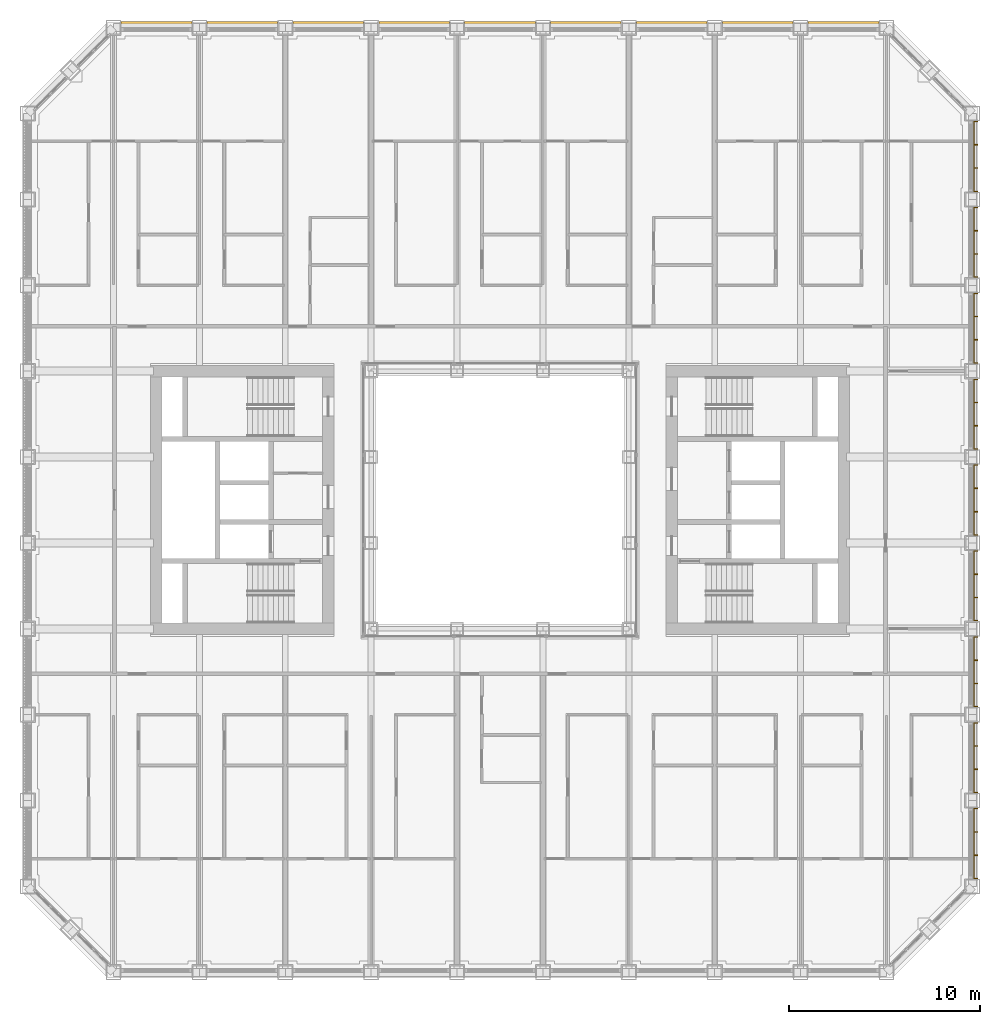
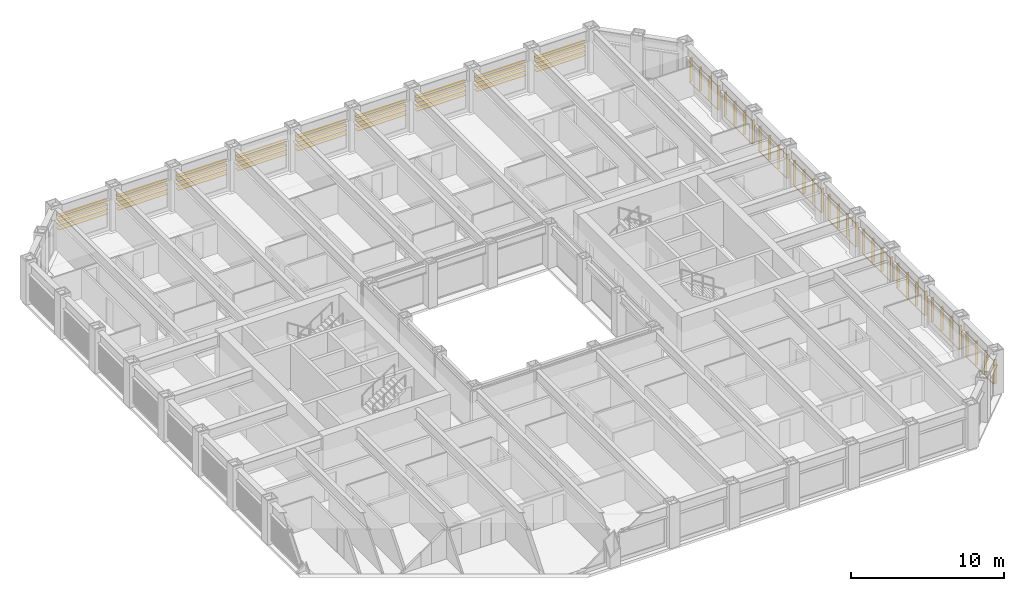
# One storey, part 20 of 20: 2 shading devices.
"""IFC4 building model written with IfcOpenShell, lengths in metres."""

from ifc_helpers import new_model, si_unit, direction, frame, origin, origin_2d, place, context, subcontext, project, spatial, rectangle, extrude, material, type_object, element, save


model = new_model("IFC4")

# Units and contexts
model_context = context("Model", 3, precision=1e-05, world=origin(), true_north=direction((0.0, 1.0)))
body_context = subcontext(model_context, "Body", "Model", "MODEL_VIEW")
ifc_project = project(units=[si_unit("LENGTHUNIT", "METRE"), si_unit("AREAUNIT", "SQUARE_METRE"), si_unit("VOLUMEUNIT", "CUBIC_METRE"), si_unit("PLANEANGLEUNIT", "RADIAN"), si_unit("MASSUNIT", "GRAM", prefix="KILO")], contexts=[model_context])

# Site, building, storey
site_placement = place(None, origin())
site = spatial("IfcSite", under=ifc_project, at=site_placement, CompositionType="ELEMENT")
building_placement = place(site_placement, origin())
building = spatial("IfcBuilding", under=site, at=building_placement, Name="Msasa Ring Tower", CompositionType="ELEMENT")
storey_placement = place(building_placement, frame((0.0, 0.0, 65.0)))
storey = spatial("IfcBuildingStorey", under=building, at=storey_placement, Name="L16", CompositionType="ELEMENT", Elevation=65.0)

# Shading devices
ifc_material_1 = material(Name="Extruded terracotta on aluminium carriers", Category="masonry")
shading_device_type_1 = type_object("IfcShadingDeviceType", Name="BS2 TERRACOTTA FIN SCREEN 40x200 AT 1350", PredefinedType="USERDEFINED", material=ifc_material_1)
shading_device_1_placement = place(storey_placement, origin())
element("IfcShadingDevice", 1, at=shading_device_1_placement, inside=storey, type_object=shading_device_type_1, Name="Terracotta fin screen E L16", ObjectType="BAGUETTE", PredefinedType="USERDEFINED", context=body_context, shape_type="SweptSolid", body=[
    extrude(rectangle(XDim=0.06005859375, YDim=0.0400390625, at=origin_2d()), frame((24.830078125, -19.85009765625, 0.330078125), z_axis=(0.0, 1.0, 0.0), x_axis=(0.0, 0.0, 1.0)), (0.0, 0.0, 1.0), 3.699951171875),
    extrude(rectangle(XDim=0.06005859375, YDim=0.0400390625, at=origin_2d()), frame((24.830078125, -19.85009765625, 2.198974609375), z_axis=(0.0, 1.0, 0.0), x_axis=(0.0, 0.0, 1.0)), (0.0, 0.0, 1.0), 3.699951171875),
    extrude(rectangle(XDim=0.0400390625, YDim=0.199951171875, at=origin_2d()), frame((24.945068359375, -19.830078125, 0.300048828125), z_axis=(0.0, 0.0, 1.0), x_axis=(0.0, 1.0, 0.0)), (0.0, 0.0, 1.0), 1.928955078125),
    extrude(rectangle(XDim=0.0400390625, YDim=0.199951171875, at=origin_2d()), frame((24.945068359375, -18.610107421875, 0.300048828125), z_axis=(0.0, 0.0, 1.0), x_axis=(0.0, 1.0, 0.0)), (0.0, 0.0, 1.0), 1.928955078125),
    extrude(rectangle(XDim=0.0400390625, YDim=0.199951171875, at=origin_2d()), frame((24.945068359375, -17.389892578125, 0.300048828125), z_axis=(0.0, 0.0, 1.0), x_axis=(0.0, 1.0, 0.0)), (0.0, 0.0, 1.0), 1.928955078125),
    extrude(rectangle(XDim=0.0400390625, YDim=0.199951171875, at=origin_2d()), frame((24.945068359375, -16.169921875, 0.300048828125), z_axis=(0.0, 0.0, 1.0), x_axis=(0.0, 1.0, 0.0)), (0.0, 0.0, 1.0), 1.928955078125),
    extrude(rectangle(XDim=0.06005859375, YDim=0.0400390625, at=origin_2d()), frame((24.830078125, -15.35009765625, 0.330078125), z_axis=(0.0, 1.0, 0.0), x_axis=(0.0, 0.0, 1.0)), (0.0, 0.0, 1.0), 3.699951171875),
    extrude(rectangle(XDim=0.06005859375, YDim=0.0400390625, at=origin_2d()), frame((24.830078125, -15.35009765625, 2.198974609375), z_axis=(0.0, 1.0, 0.0), x_axis=(0.0, 0.0, 1.0)), (0.0, 0.0, 1.0), 3.699951171875),
    extrude(rectangle(XDim=0.0400390625, YDim=0.199951171875, at=origin_2d()), frame((24.945068359375, -15.330078125, 0.300048828125), z_axis=(0.0, 0.0, 1.0), x_axis=(0.0, 1.0, 0.0)), (0.0, 0.0, 1.0), 1.928955078125),
    extrude(rectangle(XDim=0.0400390625, YDim=0.199951171875, at=origin_2d()), frame((24.945068359375, -14.110107421875, 0.300048828125), z_axis=(0.0, 0.0, 1.0), x_axis=(0.0, 1.0, 0.0)), (0.0, 0.0, 1.0), 1.928955078125),
    extrude(rectangle(XDim=0.0400390625, YDim=0.199951171875, at=origin_2d()), frame((24.945068359375, -12.889892578125, 0.300048828125), z_axis=(0.0, 0.0, 1.0), x_axis=(0.0, 1.0, 0.0)), (0.0, 0.0, 1.0), 1.928955078125),
    extrude(rectangle(XDim=0.0400390625, YDim=0.199951171875, at=origin_2d()), frame((24.945068359375, -11.669921875, 0.300048828125), z_axis=(0.0, 0.0, 1.0), x_axis=(0.0, 1.0, 0.0)), (0.0, 0.0, 1.0), 1.928955078125),
    extrude(rectangle(XDim=0.06005859375, YDim=0.0400390625, at=origin_2d()), frame((24.830078125, -10.85009765625, 0.330078125), z_axis=(0.0, 1.0, 0.0), x_axis=(0.0, 0.0, 1.0)), (0.0, 0.0, 1.0), 3.699951171875),
    extrude(rectangle(XDim=0.06005859375, YDim=0.0400390625, at=origin_2d()), frame((24.830078125, -10.85009765625, 2.198974609375), z_axis=(0.0, 1.0, 0.0), x_axis=(0.0, 0.0, 1.0)), (0.0, 0.0, 1.0), 3.699951171875),
    extrude(rectangle(XDim=0.0400390625, YDim=0.199951171875, at=origin_2d()), frame((24.945068359375, -10.830078125, 0.300048828125), z_axis=(0.0, 0.0, 1.0), x_axis=(0.0, 1.0, 0.0)), (0.0, 0.0, 1.0), 1.928955078125),
    extrude(rectangle(XDim=0.0400390625, YDim=0.199951171875, at=origin_2d()), frame((24.945068359375, -9.610107421875, 0.300048828125), z_axis=(0.0, 0.0, 1.0), x_axis=(0.0, 1.0, 0.0)), (0.0, 0.0, 1.0), 1.928955078125),
    extrude(rectangle(XDim=0.0400390625, YDim=0.199951171875, at=origin_2d()), frame((24.945068359375, -8.389892578125, 0.300048828125), z_axis=(0.0, 0.0, 1.0), x_axis=(0.0, 1.0, 0.0)), (0.0, 0.0, 1.0), 1.928955078125),
    extrude(rectangle(XDim=0.0400390625, YDim=0.199951171875, at=origin_2d()), frame((24.945068359375, -7.169921875, 0.300048828125), z_axis=(0.0, 0.0, 1.0), x_axis=(0.0, 1.0, 0.0)), (0.0, 0.0, 1.0), 1.928955078125),
    extrude(rectangle(XDim=0.06005859375, YDim=0.0400390625, at=origin_2d()), frame((24.830078125, -6.35009765625, 0.330078125), z_axis=(0.0, 1.0, 0.0), x_axis=(0.0, 0.0, 1.0)), (0.0, 0.0, 1.0), 3.699951171875),
    extrude(rectangle(XDim=0.06005859375, YDim=0.0400390625, at=origin_2d()), frame((24.830078125, -6.35009765625, 2.198974609375), z_axis=(0.0, 1.0, 0.0), x_axis=(0.0, 0.0, 1.0)), (0.0, 0.0, 1.0), 3.699951171875),
    extrude(rectangle(XDim=0.0400390625, YDim=0.199951171875, at=origin_2d()), frame((24.945068359375, -6.330078125, 0.300048828125), z_axis=(0.0, 0.0, 1.0), x_axis=(0.0, 1.0, 0.0)), (0.0, 0.0, 1.0), 1.928955078125),
    extrude(rectangle(XDim=0.0400390625, YDim=0.199951171875, at=origin_2d()), frame((24.945068359375, -5.110107421875, 0.300048828125), z_axis=(0.0, 0.0, 1.0), x_axis=(0.0, 1.0, 0.0)), (0.0, 0.0, 1.0), 1.928955078125),
    extrude(rectangle(XDim=0.0400390625, YDim=0.199951171875, at=origin_2d()), frame((24.945068359375, -3.889892578125, 0.300048828125), z_axis=(0.0, 0.0, 1.0), x_axis=(0.0, 1.0, 0.0)), (0.0, 0.0, 1.0), 1.928955078125),
    extrude(rectangle(XDim=0.0400390625, YDim=0.199951171875, at=origin_2d()), frame((24.945068359375, -2.669921875, 0.300048828125), z_axis=(0.0, 0.0, 1.0), x_axis=(0.0, 1.0, 0.0)), (0.0, 0.0, 1.0), 1.928955078125),
    extrude(rectangle(XDim=0.06005859375, YDim=0.0400390625, at=origin_2d()), frame((24.830078125, -1.85009765625, 0.330078125), z_axis=(0.0, 1.0, 0.0), x_axis=(0.0, 0.0, 1.0)), (0.0, 0.0, 1.0), 3.699951171875),
    extrude(rectangle(XDim=0.06005859375, YDim=0.0400390625, at=origin_2d()), frame((24.830078125, -1.85009765625, 2.198974609375), z_axis=(0.0, 1.0, 0.0), x_axis=(0.0, 0.0, 1.0)), (0.0, 0.0, 1.0), 3.699951171875),
    extrude(rectangle(XDim=0.0400390625, YDim=0.199951171875, at=origin_2d()), frame((24.945068359375, -1.830078125, 0.300048828125), z_axis=(0.0, 0.0, 1.0), x_axis=(0.0, 1.0, 0.0)), (0.0, 0.0, 1.0), 1.928955078125),
    extrude(rectangle(XDim=0.0400390625, YDim=0.199951171875, at=origin_2d()), frame((24.945068359375, -0.610107421875, 0.300048828125), z_axis=(0.0, 0.0, 1.0), x_axis=(0.0, 1.0, 0.0)), (0.0, 0.0, 1.0), 1.928955078125),
    extrude(rectangle(XDim=0.0400390625, YDim=0.199951171875, at=origin_2d()), frame((24.945068359375, 0.610107421875, 0.300048828125), z_axis=(0.0, 0.0, 1.0), x_axis=(0.0, 1.0, 0.0)), (0.0, 0.0, 1.0), 1.928955078125),
    extrude(rectangle(XDim=0.0400390625, YDim=0.199951171875, at=origin_2d()), frame((24.945068359375, 1.830078125, 0.300048828125), z_axis=(0.0, 0.0, 1.0), x_axis=(0.0, 1.0, 0.0)), (0.0, 0.0, 1.0), 1.928955078125),
    extrude(rectangle(XDim=0.06005859375, YDim=0.0400390625, at=origin_2d()), frame((24.830078125, 2.64990234375, 0.330078125), z_axis=(0.0, 1.0, 0.0), x_axis=(0.0, 0.0, 1.0)), (0.0, 0.0, 1.0), 3.699951171875),
    extrude(rectangle(XDim=0.06005859375, YDim=0.0400390625, at=origin_2d()), frame((24.830078125, 2.64990234375, 2.198974609375), z_axis=(0.0, 1.0, 0.0), x_axis=(0.0, 0.0, 1.0)), (0.0, 0.0, 1.0), 3.699951171875),
    extrude(rectangle(XDim=0.0400390625, YDim=0.199951171875, at=origin_2d()), frame((24.945068359375, 2.669921875, 0.300048828125), z_axis=(0.0, 0.0, 1.0), x_axis=(0.0, 1.0, 0.0)), (0.0, 0.0, 1.0), 1.928955078125),
    extrude(rectangle(XDim=0.0400390625, YDim=0.199951171875, at=origin_2d()), frame((24.945068359375, 3.889892578125, 0.300048828125), z_axis=(0.0, 0.0, 1.0), x_axis=(0.0, 1.0, 0.0)), (0.0, 0.0, 1.0), 1.928955078125),
    extrude(rectangle(XDim=0.0400390625, YDim=0.199951171875, at=origin_2d()), frame((24.945068359375, 5.110107421875, 0.300048828125), z_axis=(0.0, 0.0, 1.0), x_axis=(0.0, 1.0, 0.0)), (0.0, 0.0, 1.0), 1.928955078125),
    extrude(rectangle(XDim=0.0400390625, YDim=0.199951171875, at=origin_2d()), frame((24.945068359375, 6.330078125, 0.300048828125), z_axis=(0.0, 0.0, 1.0), x_axis=(0.0, 1.0, 0.0)), (0.0, 0.0, 1.0), 1.928955078125),
    extrude(rectangle(XDim=0.06005859375, YDim=0.0400390625, at=origin_2d()), frame((24.830078125, 7.14990234375, 0.330078125), z_axis=(0.0, 1.0, 0.0), x_axis=(0.0, 0.0, 1.0)), (0.0, 0.0, 1.0), 3.699951171875),
    extrude(rectangle(XDim=0.06005859375, YDim=0.0400390625, at=origin_2d()), frame((24.830078125, 7.14990234375, 2.198974609375), z_axis=(0.0, 1.0, 0.0), x_axis=(0.0, 0.0, 1.0)), (0.0, 0.0, 1.0), 3.699951171875),
    extrude(rectangle(XDim=0.0400390625, YDim=0.199951171875, at=origin_2d()), frame((24.945068359375, 7.169921875, 0.300048828125), z_axis=(0.0, 0.0, 1.0), x_axis=(0.0, 1.0, 0.0)), (0.0, 0.0, 1.0), 1.928955078125),
    extrude(rectangle(XDim=0.0400390625, YDim=0.199951171875, at=origin_2d()), frame((24.945068359375, 8.389892578125, 0.300048828125), z_axis=(0.0, 0.0, 1.0), x_axis=(0.0, 1.0, 0.0)), (0.0, 0.0, 1.0), 1.928955078125),
    extrude(rectangle(XDim=0.0400390625, YDim=0.199951171875, at=origin_2d()), frame((24.945068359375, 9.610107421875, 0.300048828125), z_axis=(0.0, 0.0, 1.0), x_axis=(0.0, 1.0, 0.0)), (0.0, 0.0, 1.0), 1.928955078125),
    extrude(rectangle(XDim=0.0400390625, YDim=0.199951171875, at=origin_2d()), frame((24.945068359375, 10.830078125, 0.300048828125), z_axis=(0.0, 0.0, 1.0), x_axis=(0.0, 1.0, 0.0)), (0.0, 0.0, 1.0), 1.928955078125),
    extrude(rectangle(XDim=0.06005859375, YDim=0.0400390625, at=origin_2d()), frame((24.830078125, 11.64990234375, 0.330078125), z_axis=(0.0, 1.0, 0.0), x_axis=(0.0, 0.0, 1.0)), (0.0, 0.0, 1.0), 3.699951171875),
    extrude(rectangle(XDim=0.06005859375, YDim=0.0400390625, at=origin_2d()), frame((24.830078125, 11.64990234375, 2.198974609375), z_axis=(0.0, 1.0, 0.0), x_axis=(0.0, 0.0, 1.0)), (0.0, 0.0, 1.0), 3.699951171875),
    extrude(rectangle(XDim=0.0400390625, YDim=0.199951171875, at=origin_2d()), frame((24.945068359375, 11.669921875, 0.300048828125), z_axis=(0.0, 0.0, 1.0), x_axis=(0.0, 1.0, 0.0)), (0.0, 0.0, 1.0), 1.928955078125),
    extrude(rectangle(XDim=0.0400390625, YDim=0.199951171875, at=origin_2d()), frame((24.945068359375, 12.889892578125, 0.300048828125), z_axis=(0.0, 0.0, 1.0), x_axis=(0.0, 1.0, 0.0)), (0.0, 0.0, 1.0), 1.928955078125),
    extrude(rectangle(XDim=0.0400390625, YDim=0.199951171875, at=origin_2d()), frame((24.945068359375, 14.110107421875, 0.300048828125), z_axis=(0.0, 0.0, 1.0), x_axis=(0.0, 1.0, 0.0)), (0.0, 0.0, 1.0), 1.928955078125),
    extrude(rectangle(XDim=0.0400390625, YDim=0.199951171875, at=origin_2d()), frame((24.945068359375, 15.330078125, 0.300048828125), z_axis=(0.0, 0.0, 1.0), x_axis=(0.0, 1.0, 0.0)), (0.0, 0.0, 1.0), 1.928955078125),
    extrude(rectangle(XDim=0.06005859375, YDim=0.0400390625, at=origin_2d()), frame((24.830078125, 16.14990234375, 0.330078125), z_axis=(0.0, 1.0, 0.0), x_axis=(0.0, 0.0, 1.0)), (0.0, 0.0, 1.0), 3.699951171875),
    extrude(rectangle(XDim=0.06005859375, YDim=0.0400390625, at=origin_2d()), frame((24.830078125, 16.14990234375, 2.198974609375), z_axis=(0.0, 1.0, 0.0), x_axis=(0.0, 0.0, 1.0)), (0.0, 0.0, 1.0), 3.699951171875),
    extrude(rectangle(XDim=0.0400390625, YDim=0.199951171875, at=origin_2d()), frame((24.945068359375, 16.169921875, 0.300048828125), z_axis=(0.0, 0.0, 1.0), x_axis=(0.0, 1.0, 0.0)), (0.0, 0.0, 1.0), 1.928955078125),
    extrude(rectangle(XDim=0.0400390625, YDim=0.199951171875, at=origin_2d()), frame((24.945068359375, 17.389892578125, 0.300048828125), z_axis=(0.0, 0.0, 1.0), x_axis=(0.0, 1.0, 0.0)), (0.0, 0.0, 1.0), 1.928955078125),
    extrude(rectangle(XDim=0.0400390625, YDim=0.199951171875, at=origin_2d()), frame((24.945068359375, 18.610107421875, 0.300048828125), z_axis=(0.0, 0.0, 1.0), x_axis=(0.0, 1.0, 0.0)), (0.0, 0.0, 1.0), 1.928955078125),
    extrude(rectangle(XDim=0.0400390625, YDim=0.199951171875, at=origin_2d()), frame((24.945068359375, 19.830078125, 0.300048828125), z_axis=(0.0, 0.0, 1.0), x_axis=(0.0, 1.0, 0.0)), (0.0, 0.0, 1.0), 1.928955078125),
])
ifc_material_2 = material(Name="Extruded terracotta blades", Category="masonry")
shading_device_type_2 = type_object("IfcShadingDeviceType", Name="SS1 TERRACOTTA SUNSHADE 4 BLADES 300x40 AT 350", PredefinedType="USERDEFINED", material=ifc_material_2)
shading_device_2_placement = place(storey_placement, origin())
element("IfcShadingDevice", 2, at=shading_device_2_placement, inside=storey, type_object=shading_device_type_2, Name="Terracotta sunshade N L16", ObjectType="SUNSHADE", PredefinedType="USERDEFINED", context=body_context, shape_type="SweptSolid", body=[
    extrude(rectangle(XDim=0.0400390625, YDim=0.300048828125, at=origin_2d()), frame((-19.85009765625, 24.929931640625, 2.208984375), z_axis=(1.0, 0.0, 0.0), x_axis=(0.0, 0.0, 1.0)), (0.0, 0.0, 1.0), 3.699951171875),
    extrude(rectangle(XDim=0.0400390625, YDim=0.300048828125, at=origin_2d()), frame((-19.85009765625, 24.929931640625, 1.85888671875), z_axis=(1.0, 0.0, 0.0), x_axis=(0.0, 0.0, 1.0)), (0.0, 0.0, 1.0), 3.699951171875),
    extrude(rectangle(XDim=0.0400390625, YDim=0.300048828125, at=origin_2d()), frame((-19.85009765625, 24.929931640625, 1.509033203125), z_axis=(1.0, 0.0, 0.0), x_axis=(0.0, 0.0, 1.0)), (0.0, 0.0, 1.0), 3.699951171875),
    extrude(rectangle(XDim=0.0400390625, YDim=0.300048828125, at=origin_2d()), frame((-19.85009765625, 24.929931640625, 1.158935546875), z_axis=(1.0, 0.0, 0.0), x_axis=(0.0, 0.0, 1.0)), (0.0, 0.0, 1.0), 3.699951171875),
    extrude(rectangle(XDim=0.0400390625, YDim=0.300048828125, at=origin_2d()), frame((-15.35009765625, 24.929931640625, 2.208984375), z_axis=(1.0, 0.0, 0.0), x_axis=(0.0, 0.0, 1.0)), (0.0, 0.0, 1.0), 3.699951171875),
    extrude(rectangle(XDim=0.0400390625, YDim=0.300048828125, at=origin_2d()), frame((-15.35009765625, 24.929931640625, 1.85888671875), z_axis=(1.0, 0.0, 0.0), x_axis=(0.0, 0.0, 1.0)), (0.0, 0.0, 1.0), 3.699951171875),
    extrude(rectangle(XDim=0.0400390625, YDim=0.300048828125, at=origin_2d()), frame((-15.35009765625, 24.929931640625, 1.509033203125), z_axis=(1.0, 0.0, 0.0), x_axis=(0.0, 0.0, 1.0)), (0.0, 0.0, 1.0), 3.699951171875),
    extrude(rectangle(XDim=0.0400390625, YDim=0.300048828125, at=origin_2d()), frame((-15.35009765625, 24.929931640625, 1.158935546875), z_axis=(1.0, 0.0, 0.0), x_axis=(0.0, 0.0, 1.0)), (0.0, 0.0, 1.0), 3.699951171875),
    extrude(rectangle(XDim=0.0400390625, YDim=0.300048828125, at=origin_2d()), frame((-10.85009765625, 24.929931640625, 2.208984375), z_axis=(1.0, 0.0, 0.0), x_axis=(0.0, 0.0, 1.0)), (0.0, 0.0, 1.0), 3.699951171875),
    extrude(rectangle(XDim=0.0400390625, YDim=0.300048828125, at=origin_2d()), frame((-10.85009765625, 24.929931640625, 1.85888671875), z_axis=(1.0, 0.0, 0.0), x_axis=(0.0, 0.0, 1.0)), (0.0, 0.0, 1.0), 3.699951171875),
    extrude(rectangle(XDim=0.0400390625, YDim=0.300048828125, at=origin_2d()), frame((-10.85009765625, 24.929931640625, 1.509033203125), z_axis=(1.0, 0.0, 0.0), x_axis=(0.0, 0.0, 1.0)), (0.0, 0.0, 1.0), 3.699951171875),
    extrude(rectangle(XDim=0.0400390625, YDim=0.300048828125, at=origin_2d()), frame((-10.85009765625, 24.929931640625, 1.158935546875), z_axis=(1.0, 0.0, 0.0), x_axis=(0.0, 0.0, 1.0)), (0.0, 0.0, 1.0), 3.699951171875),
    extrude(rectangle(XDim=0.0400390625, YDim=0.300048828125, at=origin_2d()), frame((-6.35009765625, 24.929931640625, 2.208984375), z_axis=(1.0, 0.0, 0.0), x_axis=(0.0, 0.0, 1.0)), (0.0, 0.0, 1.0), 3.699951171875),
    extrude(rectangle(XDim=0.0400390625, YDim=0.300048828125, at=origin_2d()), frame((-6.35009765625, 24.929931640625, 1.85888671875), z_axis=(1.0, 0.0, 0.0), x_axis=(0.0, 0.0, 1.0)), (0.0, 0.0, 1.0), 3.699951171875),
    extrude(rectangle(XDim=0.0400390625, YDim=0.300048828125, at=origin_2d()), frame((-6.35009765625, 24.929931640625, 1.509033203125), z_axis=(1.0, 0.0, 0.0), x_axis=(0.0, 0.0, 1.0)), (0.0, 0.0, 1.0), 3.699951171875),
    extrude(rectangle(XDim=0.0400390625, YDim=0.300048828125, at=origin_2d()), frame((-6.35009765625, 24.929931640625, 1.158935546875), z_axis=(1.0, 0.0, 0.0), x_axis=(0.0, 0.0, 1.0)), (0.0, 0.0, 1.0), 3.699951171875),
    extrude(rectangle(XDim=0.0400390625, YDim=0.300048828125, at=origin_2d()), frame((-1.85009765625, 24.929931640625, 2.208984375), z_axis=(1.0, 0.0, 0.0), x_axis=(0.0, 0.0, 1.0)), (0.0, 0.0, 1.0), 3.699951171875),
    extrude(rectangle(XDim=0.0400390625, YDim=0.300048828125, at=origin_2d()), frame((-1.85009765625, 24.929931640625, 1.85888671875), z_axis=(1.0, 0.0, 0.0), x_axis=(0.0, 0.0, 1.0)), (0.0, 0.0, 1.0), 3.699951171875),
    extrude(rectangle(XDim=0.0400390625, YDim=0.300048828125, at=origin_2d()), frame((-1.85009765625, 24.929931640625, 1.509033203125), z_axis=(1.0, 0.0, 0.0), x_axis=(0.0, 0.0, 1.0)), (0.0, 0.0, 1.0), 3.699951171875),
    extrude(rectangle(XDim=0.0400390625, YDim=0.300048828125, at=origin_2d()), frame((-1.85009765625, 24.929931640625, 1.158935546875), z_axis=(1.0, 0.0, 0.0), x_axis=(0.0, 0.0, 1.0)), (0.0, 0.0, 1.0), 3.699951171875),
    extrude(rectangle(XDim=0.0400390625, YDim=0.300048828125, at=origin_2d()), frame((2.64990234375, 24.929931640625, 2.208984375), z_axis=(1.0, 0.0, 0.0), x_axis=(0.0, 0.0, 1.0)), (0.0, 0.0, 1.0), 3.699951171875),
    extrude(rectangle(XDim=0.0400390625, YDim=0.300048828125, at=origin_2d()), frame((2.64990234375, 24.929931640625, 1.85888671875), z_axis=(1.0, 0.0, 0.0), x_axis=(0.0, 0.0, 1.0)), (0.0, 0.0, 1.0), 3.699951171875),
    extrude(rectangle(XDim=0.0400390625, YDim=0.300048828125, at=origin_2d()), frame((2.64990234375, 24.929931640625, 1.509033203125), z_axis=(1.0, 0.0, 0.0), x_axis=(0.0, 0.0, 1.0)), (0.0, 0.0, 1.0), 3.699951171875),
    extrude(rectangle(XDim=0.0400390625, YDim=0.300048828125, at=origin_2d()), frame((2.64990234375, 24.929931640625, 1.158935546875), z_axis=(1.0, 0.0, 0.0), x_axis=(0.0, 0.0, 1.0)), (0.0, 0.0, 1.0), 3.699951171875),
    extrude(rectangle(XDim=0.0400390625, YDim=0.300048828125, at=origin_2d()), frame((7.14990234375, 24.929931640625, 2.208984375), z_axis=(1.0, 0.0, 0.0), x_axis=(0.0, 0.0, 1.0)), (0.0, 0.0, 1.0), 3.699951171875),
    extrude(rectangle(XDim=0.0400390625, YDim=0.300048828125, at=origin_2d()), frame((7.14990234375, 24.929931640625, 1.85888671875), z_axis=(1.0, 0.0, 0.0), x_axis=(0.0, 0.0, 1.0)), (0.0, 0.0, 1.0), 3.699951171875),
    extrude(rectangle(XDim=0.0400390625, YDim=0.300048828125, at=origin_2d()), frame((7.14990234375, 24.929931640625, 1.509033203125), z_axis=(1.0, 0.0, 0.0), x_axis=(0.0, 0.0, 1.0)), (0.0, 0.0, 1.0), 3.699951171875),
    extrude(rectangle(XDim=0.0400390625, YDim=0.300048828125, at=origin_2d()), frame((7.14990234375, 24.929931640625, 1.158935546875), z_axis=(1.0, 0.0, 0.0), x_axis=(0.0, 0.0, 1.0)), (0.0, 0.0, 1.0), 3.699951171875),
    extrude(rectangle(XDim=0.0400390625, YDim=0.300048828125, at=origin_2d()), frame((11.64990234375, 24.929931640625, 2.208984375), z_axis=(1.0, 0.0, 0.0), x_axis=(0.0, 0.0, 1.0)), (0.0, 0.0, 1.0), 3.699951171875),
    extrude(rectangle(XDim=0.0400390625, YDim=0.300048828125, at=origin_2d()), frame((11.64990234375, 24.929931640625, 1.85888671875), z_axis=(1.0, 0.0, 0.0), x_axis=(0.0, 0.0, 1.0)), (0.0, 0.0, 1.0), 3.699951171875),
    extrude(rectangle(XDim=0.0400390625, YDim=0.300048828125, at=origin_2d()), frame((11.64990234375, 24.929931640625, 1.509033203125), z_axis=(1.0, 0.0, 0.0), x_axis=(0.0, 0.0, 1.0)), (0.0, 0.0, 1.0), 3.699951171875),
    extrude(rectangle(XDim=0.0400390625, YDim=0.300048828125, at=origin_2d()), frame((11.64990234375, 24.929931640625, 1.158935546875), z_axis=(1.0, 0.0, 0.0), x_axis=(0.0, 0.0, 1.0)), (0.0, 0.0, 1.0), 3.699951171875),
    extrude(rectangle(XDim=0.0400390625, YDim=0.300048828125, at=origin_2d()), frame((16.14990234375, 24.929931640625, 2.208984375), z_axis=(1.0, 0.0, 0.0), x_axis=(0.0, 0.0, 1.0)), (0.0, 0.0, 1.0), 3.699951171875),
    extrude(rectangle(XDim=0.0400390625, YDim=0.300048828125, at=origin_2d()), frame((16.14990234375, 24.929931640625, 1.85888671875), z_axis=(1.0, 0.0, 0.0), x_axis=(0.0, 0.0, 1.0)), (0.0, 0.0, 1.0), 3.699951171875),
    extrude(rectangle(XDim=0.0400390625, YDim=0.300048828125, at=origin_2d()), frame((16.14990234375, 24.929931640625, 1.509033203125), z_axis=(1.0, 0.0, 0.0), x_axis=(0.0, 0.0, 1.0)), (0.0, 0.0, 1.0), 3.699951171875),
    extrude(rectangle(XDim=0.0400390625, YDim=0.300048828125, at=origin_2d()), frame((16.14990234375, 24.929931640625, 1.158935546875), z_axis=(1.0, 0.0, 0.0), x_axis=(0.0, 0.0, 1.0)), (0.0, 0.0, 1.0), 3.699951171875),
])

save(model, "model.ifc")
